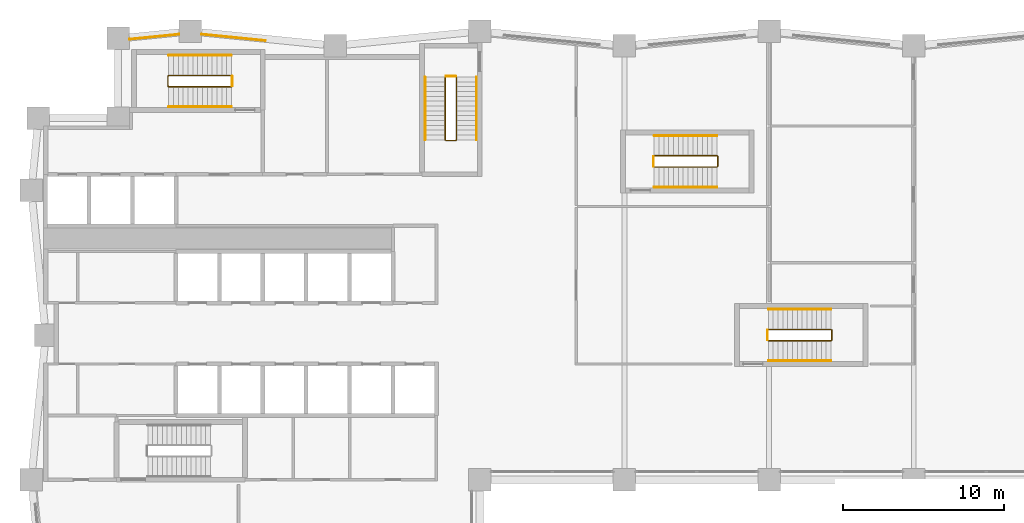
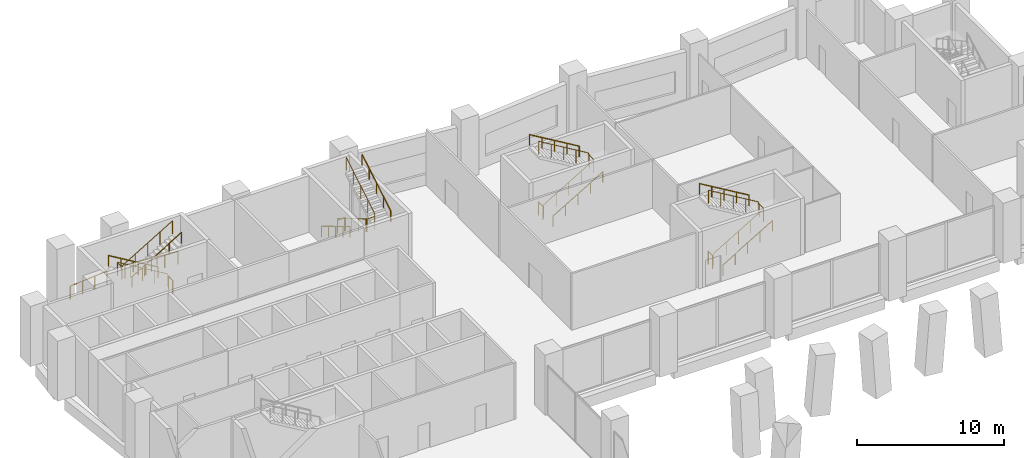
# One storey, part 16 of 17: 18 railings.
"""IFC4 building model written with IfcOpenShell, lengths in metres."""

from ifc_helpers import new_model, si_unit, direction, frame, origin, origin_2d, place, context, subcontext, project, spatial, circle, extrude, material, type_object, element, save


model = new_model("IFC4")

# Units and contexts
model_context = context("Model", 3, precision=1e-05, world=origin(), true_north=direction((0.0, 1.0)))
body_context = subcontext(model_context, "Body", "Model", "MODEL_VIEW")
ifc_project = project(units=[si_unit("LENGTHUNIT", "METRE"), si_unit("AREAUNIT", "SQUARE_METRE"), si_unit("VOLUMEUNIT", "CUBIC_METRE"), si_unit("PLANEANGLEUNIT", "RADIAN"), si_unit("MASSUNIT", "GRAM", prefix="KILO")], contexts=[model_context])

# Site, building, storey
site_placement = place(None, origin())
site = spatial("IfcSite", under=ifc_project, at=site_placement, CompositionType="ELEMENT")
building_placement = place(site_placement, origin())
building = spatial("IfcBuilding", under=site, at=building_placement, Name="Brondeck Convention Tower", CompositionType="ELEMENT")
storey_placement = place(building_placement, frame((0.0, 0.0, 14.5)))
storey = spatial("IfcBuildingStorey", under=building, at=storey_placement, Name="L02", CompositionType="ELEMENT", Elevation=14.5)

# Railings
ifc_material_1 = material(Name="Steel S355, bronze painted", Category="steel")
railing_type_1 = type_object("IfcRailingType", Name="Guard, bronze steel rail and posts", PredefinedType="GUARDRAIL", material=ifc_material_1)
railing_1_placement = place(storey_placement, frame((5.228515625, 63.402099609375, 0.0)))
element("IfcRailing", 1, at=railing_1_placement, inside=storey, type_object=railing_type_1, Name="ENV-RL-L02-REAR1", PredefinedType="GUARDRAIL", context=body_context, shape_type="SweptSolid", body=[
    extrude(circle(Radius=0.02490234375, at=origin_2d()), frame((0.0, 0.0, 1.0751953125), z_axis=(0.995030914205, 0.099566459095, 0.0), x_axis=(-0.099566459095, 0.995030914205, 0.0)), (0.0, 0.0, 1.0), 3.082275390625),
    extrude(circle(Radius=0.02490234375, at=origin_2d()), origin(), (0.0, 0.0, 1.0), 1.050048828125),
    extrude(circle(Radius=0.02490234375, at=origin_2d()), frame((1.022216796875, 0.102294921875, 0.0)), (0.0, 0.0, 1.0), 1.050048828125),
    extrude(circle(Radius=0.02490234375, at=origin_2d()), frame((2.044677734375, 0.20458984375, 0.0)), (0.0, 0.0, 1.0), 1.050048828125),
    extrude(circle(Radius=0.02490234375, at=origin_2d()), frame((3.06689453125, 0.306884765625, 0.0)), (0.0, 0.0, 1.0), 1.050048828125),
])
railing_2_placement = place(storey_placement, frame((9.70458984375, 63.708984375, 0.0)))
element("IfcRailing", 2, at=railing_2_placement, inside=storey, type_object=railing_type_1, Name="ENV-RL-L02-REAR2", PredefinedType="GUARDRAIL", context=body_context, shape_type="SweptSolid", body=[
    extrude(circle(Radius=0.02490234375, at=origin_2d()), frame((0.0, 0.0, 1.0751953125), z_axis=(0.99503719021, -0.099503719021, 0.0), x_axis=(0.099503719021, 0.99503719021, 0.0)), (0.0, 0.0, 1.0), 3.965087890625),
    extrude(circle(Radius=0.02490234375, at=origin_2d()), origin(), (0.0, 0.0, 1.0), 1.050048828125),
    extrude(circle(Radius=0.02490234375, at=origin_2d()), frame((0.986328125, -0.0986328125, 0.0)), (0.0, 0.0, 1.0), 1.050048828125),
    extrude(circle(Radius=0.02490234375, at=origin_2d()), frame((1.97265625, -0.197265625, 0.0)), (0.0, 0.0, 1.0), 1.050048828125),
    extrude(circle(Radius=0.02490234375, at=origin_2d()), frame((2.958984375, -0.2958984375, 0.0)), (0.0, 0.0, 1.0), 1.050048828125),
    extrude(circle(Radius=0.02490234375, at=origin_2d()), frame((3.9453125, -0.39453125, 0.0)), (0.0, 0.0, 1.0), 1.050048828125),
])
ifc_material_2 = material(Name="Steel S355", Category="steel")
railing_type_2 = type_object("IfcRailingType", Name="Stair guard 1100", PredefinedType="GUARDRAIL", material=ifc_material_2)
railing_3_placement = place(storey_placement, frame((24.85009765625, 61.050048828125, 0.178466796875)))
element("IfcRailing", 3, at=railing_3_placement, inside=storey, type_object=railing_type_2, Name="L02 ST-2 stair guard 1", PredefinedType="GUARDRAIL", context=body_context, shape_type="SweptSolid", body=[
    extrude(circle(Radius=0.02392578125, at=origin_2d()), frame((0.0, 0.0, 1.076171875), z_axis=(0.0, -0.859291195736, 0.511486696729), x_axis=(1.0, 0.0, 0.0)), (0.0, 0.0, 1.0), 4.538818359375),
    extrude(circle(Radius=0.02392578125, at=origin_2d()), frame((0.0, -3.900146484375, 3.3974609375), z_axis=(0.707106781187, -0.707106781187, 0.0), x_axis=(0.707106781187, 0.707106781187, 0.0)), (0.0, 0.0, 1.0), 0.0703125),
    extrude(circle(Radius=0.02392578125, at=origin_2d()), frame((0.0498046875, -3.949951171875, 3.3974609375), z_axis=(1.0, 0.0, 0.0), x_axis=(0.0, 1.0, 0.0)), (0.0, 0.0, 1.0), 0.60009765625),
    extrude(circle(Radius=0.02392578125, at=origin_2d()), frame((0.64990234375, -3.949951171875, 3.3974609375), z_axis=(0.26077077684, 0.25949872427, 0.929870428634), x_axis=(-0.705375805398, 0.708833529934, 0.0)), (0.0, 0.0, 1.0), 0.19189453125),
    extrude(circle(Radius=0.02392578125, at=origin_2d()), frame((0.699951171875, -3.900146484375, 3.576171875), z_axis=(0.0, 0.859291195736, 0.511486696729), x_axis=(-1.0, 0.0, 0.0)), (0.0, 0.0, 1.0), 4.538818359375),
    extrude(circle(Radius=0.02099609375, at=origin_2d()), origin(), (0.0, 0.0, 1.0), 1.052001953125),
    extrude(circle(Radius=0.02099609375, at=origin_2d()), frame((0.0, -0.97509765625, 0.580322265625)), (0.0, 0.0, 1.0), 1.052001953125),
    extrude(circle(Radius=0.02099609375, at=origin_2d()), frame((0.0, -1.9501953125, 1.16064453125)), (0.0, 0.0, 1.0), 1.052001953125),
    extrude(circle(Radius=0.02099609375, at=origin_2d()), frame((0.0, -2.925048828125, 1.7412109375)), (0.0, 0.0, 1.0), 1.052001953125),
    extrude(circle(Radius=0.02099609375, at=origin_2d()), frame((0.0, -3.900146484375, 2.321533203125)), (0.0, 0.0, 1.0), 1.052001953125),
    extrude(circle(Radius=0.02099609375, at=origin_2d()), frame((0.0498046875, -3.949951171875, 2.321533203125)), (0.0, 0.0, 1.0), 1.052001953125),
    extrude(circle(Radius=0.02099609375, at=origin_2d()), frame((0.64990234375, -3.949951171875, 2.321533203125)), (0.0, 0.0, 1.0), 1.052001953125),
    extrude(circle(Radius=0.02099609375, at=origin_2d()), frame((0.699951171875, -3.900146484375, 2.5)), (0.0, 0.0, 1.0), 1.052001953125),
    extrude(circle(Radius=0.02099609375, at=origin_2d()), frame((0.699951171875, -2.925048828125, 3.080322265625)), (0.0, 0.0, 1.0), 1.052001953125),
    extrude(circle(Radius=0.02099609375, at=origin_2d()), frame((0.699951171875, -1.9501953125, 3.66064453125)), (0.0, 0.0, 1.0), 1.052001953125),
    extrude(circle(Radius=0.02099609375, at=origin_2d()), frame((0.699951171875, -0.97509765625, 4.2412109375)), (0.0, 0.0, 1.0), 1.052001953125),
    extrude(circle(Radius=0.02099609375, at=origin_2d()), frame((0.699951171875, 0.0, 4.821533203125)), (0.0, 0.0, 1.0), 1.052001953125),
])
railing_4_placement = place(storey_placement, frame((24.89990234375, 61.10009765625, 0.0)))
element("IfcRailing", 4, at=railing_4_placement, inside=storey, type_object=railing_type_2, Name="L02 ST-2 stair guard 2", PredefinedType="GUARDRAIL", context=body_context, shape_type="SweptSolid", body=[
    extrude(circle(Radius=0.02392578125, at=origin_2d()), frame((0.0, 0.0, 1.076171875), z_axis=(1.0, 0.0, 0.0), x_axis=(0.0, 1.0, 0.0)), (0.0, 0.0, 1.0), 0.60009765625),
    extrude(circle(Radius=0.02099609375, at=origin_2d()), origin(), (0.0, 0.0, 1.0), 1.052001953125),
    extrude(circle(Radius=0.02099609375, at=origin_2d()), frame((0.60009765625, 0.0, 0.0)), (0.0, 0.0, 1.0), 1.052001953125),
])
railing_5_placement = place(storey_placement, frame((11.550048828125, 61.14990234375, 0.178466796875)))
element("IfcRailing", 5, at=railing_5_placement, inside=storey, type_object=railing_type_2, Name="L02 ST-3 stair guard 1", PredefinedType="GUARDRAIL", context=body_context, shape_type="SweptSolid", body=[
    extrude(circle(Radius=0.02392578125, at=origin_2d()), frame((0.0, 0.0, 1.076171875), z_axis=(-0.859291195736, 0.0, 0.511486696729), x_axis=(0.0, -1.0, 0.0)), (0.0, 0.0, 1.0), 4.538818359375),
    extrude(circle(Radius=0.02392578125, at=origin_2d()), frame((-3.900146484375, 0.0, 3.3974609375), z_axis=(-0.707106781187, -0.707106781187, 0.0), x_axis=(0.707106781187, -0.707106781187, 0.0)), (0.0, 0.0, 1.0), 0.0703125),
    extrude(circle(Radius=0.02392578125, at=origin_2d()), frame((-3.949951171875, -0.0498046875, 3.3974609375), z_axis=(0.0, -1.0, 0.0), x_axis=(1.0, 0.0, 0.0)), (0.0, 0.0, 1.0), 0.60009765625),
    extrude(circle(Radius=0.02392578125, at=origin_2d()), frame((-3.949951171875, -0.64990234375, 3.3974609375), z_axis=(0.25949872427, -0.26077077684, 0.929870428634), x_axis=(0.708833529934, 0.705375805398, 0.0)), (0.0, 0.0, 1.0), 0.19189453125),
    extrude(circle(Radius=0.02392578125, at=origin_2d()), frame((-3.900146484375, -0.699951171875, 3.576171875), z_axis=(0.859291195736, 0.0, 0.511486696729), x_axis=(0.0, 1.0, 0.0)), (0.0, 0.0, 1.0), 4.538818359375),
    extrude(circle(Radius=0.02099609375, at=origin_2d()), origin(), (0.0, 0.0, 1.0), 1.052001953125),
    extrude(circle(Radius=0.02099609375, at=origin_2d()), frame((-0.97509765625, 0.0, 0.580322265625)), (0.0, 0.0, 1.0), 1.052001953125),
    extrude(circle(Radius=0.02099609375, at=origin_2d()), frame((-1.9501953125, 0.0, 1.16064453125)), (0.0, 0.0, 1.0), 1.052001953125),
    extrude(circle(Radius=0.02099609375, at=origin_2d()), frame((-2.925048828125, 0.0, 1.7412109375)), (0.0, 0.0, 1.0), 1.052001953125),
    extrude(circle(Radius=0.02099609375, at=origin_2d()), frame((-3.900146484375, 0.0, 2.321533203125)), (0.0, 0.0, 1.0), 1.052001953125),
    extrude(circle(Radius=0.02099609375, at=origin_2d()), frame((-3.949951171875, -0.0498046875, 2.321533203125)), (0.0, 0.0, 1.0), 1.052001953125),
    extrude(circle(Radius=0.02099609375, at=origin_2d()), frame((-3.949951171875, -0.64990234375, 2.321533203125)), (0.0, 0.0, 1.0), 1.052001953125),
    extrude(circle(Radius=0.02099609375, at=origin_2d()), frame((-3.900146484375, -0.699951171875, 2.5)), (0.0, 0.0, 1.0), 1.052001953125),
    extrude(circle(Radius=0.02099609375, at=origin_2d()), frame((-2.925048828125, -0.699951171875, 3.080322265625)), (0.0, 0.0, 1.0), 1.052001953125),
    extrude(circle(Radius=0.02099609375, at=origin_2d()), frame((-1.9501953125, -0.699951171875, 3.66064453125)), (0.0, 0.0, 1.0), 1.052001953125),
    extrude(circle(Radius=0.02099609375, at=origin_2d()), frame((-0.97509765625, -0.699951171875, 4.2412109375)), (0.0, 0.0, 1.0), 1.052001953125),
    extrude(circle(Radius=0.02099609375, at=origin_2d()), frame((0.0, -0.699951171875, 4.821533203125)), (0.0, 0.0, 1.0), 1.052001953125),
])
railing_6_placement = place(storey_placement, frame((11.60009765625, 61.10009765625, 0.0)))
element("IfcRailing", 6, at=railing_6_placement, inside=storey, type_object=railing_type_2, Name="L02 ST-3 stair guard 2", PredefinedType="GUARDRAIL", context=body_context, shape_type="SweptSolid", body=[
    extrude(circle(Radius=0.02392578125, at=origin_2d()), frame((0.0, 0.0, 1.076171875), z_axis=(0.0, -1.0, 0.0), x_axis=(1.0, 0.0, 0.0)), (0.0, 0.0, 1.0), 0.60009765625),
    extrude(circle(Radius=0.02099609375, at=origin_2d()), origin(), (0.0, 0.0, 1.0), 1.052001953125),
    extrude(circle(Radius=0.02099609375, at=origin_2d()), frame((0.0, -0.60009765625, 0.0)), (0.0, 0.0, 1.0), 1.052001953125),
])
railing_7_placement = place(storey_placement, frame((37.85009765625, 55.449951171875, 0.178466796875)))
element("IfcRailing", 7, at=railing_7_placement, inside=storey, type_object=railing_type_2, Name="L02 ST-AE stair guard 1", PredefinedType="GUARDRAIL", context=body_context, shape_type="SweptSolid", body=[
    extrude(circle(Radius=0.02392578125, at=origin_2d()), frame((0.0, 0.0, 1.076171875), z_axis=(0.85927712236, 0.0, 0.511510339083), x_axis=(0.0, 1.0, 0.0)), (0.0, 0.0, 1.0), 4.53857421875),
    extrude(circle(Radius=0.02392578125, at=origin_2d()), frame((3.89990234375, 0.0, 3.3974609375), z_axis=(0.707106781187, 0.707106781187, 0.0), x_axis=(-0.707106781187, 0.707106781187, 0.0)), (0.0, 0.0, 1.0), 0.07080078125),
    extrude(circle(Radius=0.02392578125, at=origin_2d()), frame((3.949951171875, 0.050048828125, 3.3974609375), z_axis=(0.0, 1.0, 0.0), x_axis=(-1.0, 0.0, 0.0)), (0.0, 0.0, 1.0), 0.60009765625),
    extrude(circle(Radius=0.02392578125, at=origin_2d()), frame((3.949951171875, 0.650146484375, 3.3974609375), z_axis=(-0.26077077684, 0.25949872427, 0.929870428634), x_axis=(-0.705375805398, -0.708833529934, 0.0)), (0.0, 0.0, 1.0), 0.19189453125),
    extrude(circle(Radius=0.02392578125, at=origin_2d()), frame((3.89990234375, 0.699951171875, 3.576171875), z_axis=(-0.85927712236, 0.0, 0.511510339083), x_axis=(0.0, -1.0, 0.0)), (0.0, 0.0, 1.0), 4.53857421875),
    extrude(circle(Radius=0.02099609375, at=origin_2d()), origin(), (0.0, 0.0, 1.0), 1.052001953125),
    extrude(circle(Radius=0.02099609375, at=origin_2d()), frame((0.97509765625, 0.0, 0.580322265625)), (0.0, 0.0, 1.0), 1.052001953125),
    extrude(circle(Radius=0.02099609375, at=origin_2d()), frame((1.949951171875, 0.0, 1.16064453125)), (0.0, 0.0, 1.0), 1.052001953125),
    extrude(circle(Radius=0.02099609375, at=origin_2d()), frame((2.9248046875, 0.0, 1.7412109375)), (0.0, 0.0, 1.0), 1.052001953125),
    extrude(circle(Radius=0.02099609375, at=origin_2d()), frame((3.89990234375, 0.0, 2.321533203125)), (0.0, 0.0, 1.0), 1.052001953125),
    extrude(circle(Radius=0.02099609375, at=origin_2d()), frame((3.949951171875, 0.050048828125, 2.321533203125)), (0.0, 0.0, 1.0), 1.052001953125),
    extrude(circle(Radius=0.02099609375, at=origin_2d()), frame((3.949951171875, 0.650146484375, 2.321533203125)), (0.0, 0.0, 1.0), 1.052001953125),
    extrude(circle(Radius=0.02099609375, at=origin_2d()), frame((3.89990234375, 0.699951171875, 2.5)), (0.0, 0.0, 1.0), 1.052001953125),
    extrude(circle(Radius=0.02099609375, at=origin_2d()), frame((2.9248046875, 0.699951171875, 3.080322265625)), (0.0, 0.0, 1.0), 1.052001953125),
    extrude(circle(Radius=0.02099609375, at=origin_2d()), frame((1.949951171875, 0.699951171875, 3.66064453125)), (0.0, 0.0, 1.0), 1.052001953125),
    extrude(circle(Radius=0.02099609375, at=origin_2d()), frame((0.97509765625, 0.699951171875, 4.2412109375)), (0.0, 0.0, 1.0), 1.052001953125),
    extrude(circle(Radius=0.02099609375, at=origin_2d()), frame((0.0, 0.699951171875, 4.821533203125)), (0.0, 0.0, 1.0), 1.052001953125),
])
railing_8_placement = place(storey_placement, frame((37.800048828125, 55.5, 0.0)))
element("IfcRailing", 8, at=railing_8_placement, inside=storey, type_object=railing_type_2, Name="L02 ST-AE stair guard 2", PredefinedType="GUARDRAIL", context=body_context, shape_type="SweptSolid", body=[
    extrude(circle(Radius=0.02392578125, at=origin_2d()), frame((0.0, 0.0, 1.076171875), z_axis=(0.0, 1.0, 0.0), x_axis=(-1.0, 0.0, 0.0)), (0.0, 0.0, 1.0), 0.60009765625),
    extrude(circle(Radius=0.02099609375, at=origin_2d()), origin(), (0.0, 0.0, 1.0), 1.052001953125),
    extrude(circle(Radius=0.02099609375, at=origin_2d()), frame((0.0, 0.60009765625, 0.0)), (0.0, 0.0, 1.0), 1.052001953125),
])
railing_9_placement = place(storey_placement, frame((44.949951171875, 44.64990234375, 0.178466796875)))
element("IfcRailing", 9, at=railing_9_placement, inside=storey, type_object=railing_type_2, Name="L02 ST-AF stair guard 1", PredefinedType="GUARDRAIL", context=body_context, shape_type="SweptSolid", body=[
    extrude(circle(Radius=0.02392578125, at=origin_2d()), frame((0.0, 0.0, 1.076171875), z_axis=(0.859291195736, 0.0, 0.511486696729), x_axis=(0.0, 1.0, 0.0)), (0.0, 0.0, 1.0), 4.538818359375),
    extrude(circle(Radius=0.02392578125, at=origin_2d()), frame((3.900146484375, 0.0, 3.3974609375), z_axis=(0.705375805398, 0.708833529934, 0.0), x_axis=(-0.708833529934, 0.705375805398, 0.0)), (0.0, 0.0, 1.0), 0.070556640625),
    extrude(circle(Radius=0.02392578125, at=origin_2d()), frame((3.949951171875, 0.050048828125, 3.3974609375), z_axis=(0.0, 1.0, 0.0), x_axis=(-1.0, 0.0, 0.0)), (0.0, 0.0, 1.0), 0.60009765625),
    extrude(circle(Radius=0.02392578125, at=origin_2d()), frame((3.949951171875, 0.650146484375, 3.3974609375), z_axis=(-0.25949872427, 0.26077077684, 0.929870428634), x_axis=(-0.708833529934, -0.705375805398, 0.0)), (0.0, 0.0, 1.0), 0.19189453125),
    extrude(circle(Radius=0.02392578125, at=origin_2d()), frame((3.900146484375, 0.7001953125, 3.576171875), z_axis=(-0.859291195736, 0.0, 0.511486696729), x_axis=(0.0, -1.0, 0.0)), (0.0, 0.0, 1.0), 4.538818359375),
    extrude(circle(Radius=0.02099609375, at=origin_2d()), origin(), (0.0, 0.0, 1.0), 1.052001953125),
    extrude(circle(Radius=0.02099609375, at=origin_2d()), frame((0.97509765625, 0.0, 0.580322265625)), (0.0, 0.0, 1.0), 1.052001953125),
    extrude(circle(Radius=0.02099609375, at=origin_2d()), frame((1.9501953125, 0.0, 1.16064453125)), (0.0, 0.0, 1.0), 1.052001953125),
    extrude(circle(Radius=0.02099609375, at=origin_2d()), frame((2.925048828125, 0.0, 1.7412109375)), (0.0, 0.0, 1.0), 1.052001953125),
    extrude(circle(Radius=0.02099609375, at=origin_2d()), frame((3.900146484375, 0.0, 2.321533203125)), (0.0, 0.0, 1.0), 1.052001953125),
    extrude(circle(Radius=0.02099609375, at=origin_2d()), frame((3.949951171875, 0.050048828125, 2.321533203125)), (0.0, 0.0, 1.0), 1.052001953125),
    extrude(circle(Radius=0.02099609375, at=origin_2d()), frame((3.949951171875, 0.650146484375, 2.321533203125)), (0.0, 0.0, 1.0), 1.052001953125),
    extrude(circle(Radius=0.02099609375, at=origin_2d()), frame((3.900146484375, 0.7001953125, 2.5)), (0.0, 0.0, 1.0), 1.052001953125),
    extrude(circle(Radius=0.02099609375, at=origin_2d()), frame((2.925048828125, 0.7001953125, 3.080322265625)), (0.0, 0.0, 1.0), 1.052001953125),
    extrude(circle(Radius=0.02099609375, at=origin_2d()), frame((1.9501953125, 0.7001953125, 3.66064453125)), (0.0, 0.0, 1.0), 1.052001953125),
    extrude(circle(Radius=0.02099609375, at=origin_2d()), frame((0.97509765625, 0.7001953125, 4.2412109375)), (0.0, 0.0, 1.0), 1.052001953125),
    extrude(circle(Radius=0.02099609375, at=origin_2d()), frame((0.0, 0.7001953125, 4.821533203125)), (0.0, 0.0, 1.0), 1.052001953125),
])
railing_10_placement = place(storey_placement, frame((44.89990234375, 44.699951171875, 0.0)))
element("IfcRailing", 10, at=railing_10_placement, inside=storey, type_object=railing_type_2, Name="L02 ST-AF stair guard 2", PredefinedType="GUARDRAIL", context=body_context, shape_type="SweptSolid", body=[
    extrude(circle(Radius=0.02392578125, at=origin_2d()), frame((0.0, 0.0, 1.076171875), z_axis=(0.0, 1.0, 0.0), x_axis=(-1.0, 0.0, 0.0)), (0.0, 0.0, 1.0), 0.60009765625),
    extrude(circle(Radius=0.02099609375, at=origin_2d()), origin(), (0.0, 0.0, 1.0), 1.052001953125),
    extrude(circle(Radius=0.02099609375, at=origin_2d()), frame((0.0, 0.60009765625, 0.0)), (0.0, 0.0, 1.0), 1.052001953125),
])
railing_type_3 = type_object("IfcRailingType", Name="Stair handrail", PredefinedType="HANDRAIL", material=ifc_material_2)
railing_11_placement = place(storey_placement, frame((23.60009765625, 61.050048828125, 0.178466796875)))
element("IfcRailing", 11, at=railing_11_placement, inside=storey, type_object=railing_type_3, Name="L02 ST-2 stair handrail 1", PredefinedType="HANDRAIL", context=body_context, shape_type="SweptSolid", body=[
    extrude(circle(Radius=0.02392578125, at=origin_2d()), frame((0.0, 0.0, 0.8759765625), z_axis=(0.0, -0.859291195736, 0.511486696729), x_axis=(1.0, 0.0, 0.0)), (0.0, 0.0, 1.0), 4.538818359375),
    extrude(circle(Radius=0.02099609375, at=origin_2d()), origin(), (0.0, 0.0, 1.0), 0.851806640625),
    extrude(circle(Radius=0.02099609375, at=origin_2d()), frame((0.0, -0.97509765625, 0.580322265625)), (0.0, 0.0, 1.0), 0.851806640625),
    extrude(circle(Radius=0.02099609375, at=origin_2d()), frame((0.0, -1.9501953125, 1.16064453125)), (0.0, 0.0, 1.0), 0.851806640625),
    extrude(circle(Radius=0.02099609375, at=origin_2d()), frame((0.0, -2.925048828125, 1.7412109375)), (0.0, 0.0, 1.0), 0.851806640625),
    extrude(circle(Radius=0.02099609375, at=origin_2d()), frame((0.0, -3.900146484375, 2.321533203125)), (0.0, 0.0, 1.0), 0.851806640625),
])
railing_12_placement = place(storey_placement, frame((26.800048828125, 57.14990234375, 2.678466796875)))
element("IfcRailing", 12, at=railing_12_placement, inside=storey, type_object=railing_type_3, Name="L02 ST-2 stair handrail 2", PredefinedType="HANDRAIL", context=body_context, shape_type="SweptSolid", body=[
    extrude(circle(Radius=0.02392578125, at=origin_2d()), frame((0.0, 0.0, 0.8759765625), z_axis=(0.0, 0.859291195736, 0.511486696729), x_axis=(-1.0, 0.0, 0.0)), (0.0, 0.0, 1.0), 4.538818359375),
    extrude(circle(Radius=0.02099609375, at=origin_2d()), origin(), (0.0, 0.0, 1.0), 0.851806640625),
    extrude(circle(Radius=0.02099609375, at=origin_2d()), frame((0.0, 0.97509765625, 0.580322265625)), (0.0, 0.0, 1.0), 0.851806640625),
    extrude(circle(Radius=0.02099609375, at=origin_2d()), frame((0.0, 1.9501953125, 1.16064453125)), (0.0, 0.0, 1.0), 0.851806640625),
    extrude(circle(Radius=0.02099609375, at=origin_2d()), frame((0.0, 2.925048828125, 1.7412109375)), (0.0, 0.0, 1.0), 0.851806640625),
    extrude(circle(Radius=0.02099609375, at=origin_2d()), frame((0.0, 3.900146484375, 2.321533203125)), (0.0, 0.0, 1.0), 0.851806640625),
])
railing_13_placement = place(storey_placement, frame((11.550048828125, 62.39990234375, 0.178466796875)))
element("IfcRailing", 13, at=railing_13_placement, inside=storey, type_object=railing_type_3, Name="L02 ST-3 stair handrail 1", PredefinedType="HANDRAIL", context=body_context, shape_type="SweptSolid", body=[
    extrude(circle(Radius=0.02392578125, at=origin_2d()), frame((0.0, 0.0, 0.8759765625), z_axis=(-0.859291195736, 0.0, 0.511486696729), x_axis=(0.0, -1.0, 0.0)), (0.0, 0.0, 1.0), 4.538818359375),
    extrude(circle(Radius=0.02099609375, at=origin_2d()), origin(), (0.0, 0.0, 1.0), 0.851806640625),
    extrude(circle(Radius=0.02099609375, at=origin_2d()), frame((-0.97509765625, 0.0, 0.580322265625)), (0.0, 0.0, 1.0), 0.851806640625),
    extrude(circle(Radius=0.02099609375, at=origin_2d()), frame((-1.9501953125, 0.0, 1.16064453125)), (0.0, 0.0, 1.0), 0.851806640625),
    extrude(circle(Radius=0.02099609375, at=origin_2d()), frame((-2.925048828125, 0.0, 1.7412109375)), (0.0, 0.0, 1.0), 0.851806640625),
    extrude(circle(Radius=0.02099609375, at=origin_2d()), frame((-3.900146484375, 0.0, 2.321533203125)), (0.0, 0.0, 1.0), 0.851806640625),
])
railing_14_placement = place(storey_placement, frame((7.64990234375, 59.199951171875, 2.678466796875)))
element("IfcRailing", 14, at=railing_14_placement, inside=storey, type_object=railing_type_3, Name="L02 ST-3 stair handrail 2", PredefinedType="HANDRAIL", context=body_context, shape_type="SweptSolid", body=[
    extrude(circle(Radius=0.02392578125, at=origin_2d()), frame((0.0, 0.0, 0.8759765625), z_axis=(0.859291195736, 0.0, 0.511486696729), x_axis=(0.0, 1.0, 0.0)), (0.0, 0.0, 1.0), 4.538818359375),
    extrude(circle(Radius=0.02099609375, at=origin_2d()), origin(), (0.0, 0.0, 1.0), 0.851806640625),
    extrude(circle(Radius=0.02099609375, at=origin_2d()), frame((0.97509765625, 0.0, 0.580322265625)), (0.0, 0.0, 1.0), 0.851806640625),
    extrude(circle(Radius=0.02099609375, at=origin_2d()), frame((1.9501953125, 0.0, 1.16064453125)), (0.0, 0.0, 1.0), 0.851806640625),
    extrude(circle(Radius=0.02099609375, at=origin_2d()), frame((2.925048828125, 0.0, 1.7412109375)), (0.0, 0.0, 1.0), 0.851806640625),
    extrude(circle(Radius=0.02099609375, at=origin_2d()), frame((3.900146484375, 0.0, 2.321533203125)), (0.0, 0.0, 1.0), 0.851806640625),
])
railing_15_placement = place(storey_placement, frame((37.85009765625, 54.199951171875, 0.178466796875)))
element("IfcRailing", 15, at=railing_15_placement, inside=storey, type_object=railing_type_3, Name="L02 ST-AE stair handrail 1", PredefinedType="HANDRAIL", context=body_context, shape_type="SweptSolid", body=[
    extrude(circle(Radius=0.02392578125, at=origin_2d()), frame((0.0, 0.0, 0.8759765625), z_axis=(0.85927712236, 0.0, 0.511510339083), x_axis=(0.0, 1.0, 0.0)), (0.0, 0.0, 1.0), 4.53857421875),
    extrude(circle(Radius=0.02099609375, at=origin_2d()), origin(), (0.0, 0.0, 1.0), 0.851806640625),
    extrude(circle(Radius=0.02099609375, at=origin_2d()), frame((0.97509765625, 0.0, 0.580322265625)), (0.0, 0.0, 1.0), 0.851806640625),
    extrude(circle(Radius=0.02099609375, at=origin_2d()), frame((1.949951171875, 0.0, 1.16064453125)), (0.0, 0.0, 1.0), 0.851806640625),
    extrude(circle(Radius=0.02099609375, at=origin_2d()), frame((2.9248046875, 0.0, 1.7412109375)), (0.0, 0.0, 1.0), 0.851806640625),
    extrude(circle(Radius=0.02099609375, at=origin_2d()), frame((3.89990234375, 0.0, 2.321533203125)), (0.0, 0.0, 1.0), 0.851806640625),
])
railing_16_placement = place(storey_placement, frame((41.75, 57.39990234375, 2.678466796875)))
element("IfcRailing", 16, at=railing_16_placement, inside=storey, type_object=railing_type_3, Name="L02 ST-AE stair handrail 2", PredefinedType="HANDRAIL", context=body_context, shape_type="SweptSolid", body=[
    extrude(circle(Radius=0.02392578125, at=origin_2d()), frame((0.0, 0.0, 0.8759765625), z_axis=(-0.85927712236, 0.0, 0.511510339083), x_axis=(0.0, -1.0, 0.0)), (0.0, 0.0, 1.0), 4.53857421875),
    extrude(circle(Radius=0.02099609375, at=origin_2d()), origin(), (0.0, 0.0, 1.0), 0.851806640625),
    extrude(circle(Radius=0.02099609375, at=origin_2d()), frame((-0.97509765625, 0.0, 0.580322265625)), (0.0, 0.0, 1.0), 0.851806640625),
    extrude(circle(Radius=0.02099609375, at=origin_2d()), frame((-1.949951171875, 0.0, 1.16064453125)), (0.0, 0.0, 1.0), 0.851806640625),
    extrude(circle(Radius=0.02099609375, at=origin_2d()), frame((-2.9248046875, 0.0, 1.7412109375)), (0.0, 0.0, 1.0), 0.851806640625),
    extrude(circle(Radius=0.02099609375, at=origin_2d()), frame((-3.89990234375, 0.0, 2.321533203125)), (0.0, 0.0, 1.0), 0.851806640625),
])
railing_17_placement = place(storey_placement, frame((44.949951171875, 43.39990234375, 0.178466796875)))
element("IfcRailing", 17, at=railing_17_placement, inside=storey, type_object=railing_type_3, Name="L02 ST-AF stair handrail 1", PredefinedType="HANDRAIL", context=body_context, shape_type="SweptSolid", body=[
    extrude(circle(Radius=0.02392578125, at=origin_2d()), frame((0.0, 0.0, 0.8759765625), z_axis=(0.859291195736, 0.0, 0.511486696729), x_axis=(0.0, 1.0, 0.0)), (0.0, 0.0, 1.0), 4.538818359375),
    extrude(circle(Radius=0.02099609375, at=origin_2d()), origin(), (0.0, 0.0, 1.0), 0.851806640625),
    extrude(circle(Radius=0.02099609375, at=origin_2d()), frame((0.97509765625, 0.0, 0.580322265625)), (0.0, 0.0, 1.0), 0.851806640625),
    extrude(circle(Radius=0.02099609375, at=origin_2d()), frame((1.9501953125, 0.0, 1.16064453125)), (0.0, 0.0, 1.0), 0.851806640625),
    extrude(circle(Radius=0.02099609375, at=origin_2d()), frame((2.925048828125, 0.0, 1.7412109375)), (0.0, 0.0, 1.0), 0.851806640625),
    extrude(circle(Radius=0.02099609375, at=origin_2d()), frame((3.900146484375, 0.0, 2.321533203125)), (0.0, 0.0, 1.0), 0.851806640625),
])
railing_18_placement = place(storey_placement, frame((48.85009765625, 46.60009765625, 2.678466796875)))
element("IfcRailing", 18, at=railing_18_placement, inside=storey, type_object=railing_type_3, Name="L02 ST-AF stair handrail 2", PredefinedType="HANDRAIL", context=body_context, shape_type="SweptSolid", body=[
    extrude(circle(Radius=0.02392578125, at=origin_2d()), frame((0.0, 0.0, 0.8759765625), z_axis=(-0.859291195736, 0.0, 0.511486696729), x_axis=(0.0, -1.0, 0.0)), (0.0, 0.0, 1.0), 4.538818359375),
    extrude(circle(Radius=0.02099609375, at=origin_2d()), origin(), (0.0, 0.0, 1.0), 0.851806640625),
    extrude(circle(Radius=0.02099609375, at=origin_2d()), frame((-0.97509765625, 0.0, 0.580322265625)), (0.0, 0.0, 1.0), 0.851806640625),
    extrude(circle(Radius=0.02099609375, at=origin_2d()), frame((-1.9501953125, 0.0, 1.16064453125)), (0.0, 0.0, 1.0), 0.851806640625),
    extrude(circle(Radius=0.02099609375, at=origin_2d()), frame((-2.925048828125, 0.0, 1.7412109375)), (0.0, 0.0, 1.0), 0.851806640625),
    extrude(circle(Radius=0.02099609375, at=origin_2d()), frame((-3.900146484375, 0.0, 2.321533203125)), (0.0, 0.0, 1.0), 0.851806640625),
])

save(model, "model.ifc")
